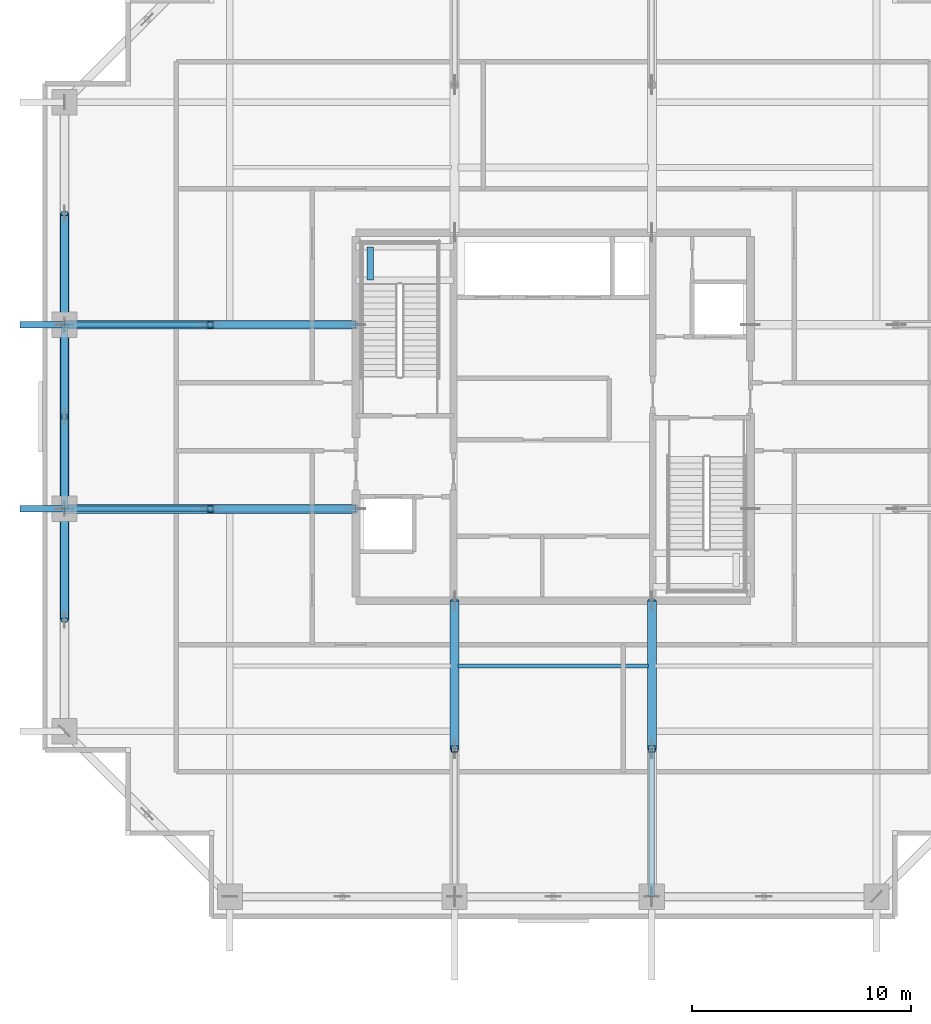
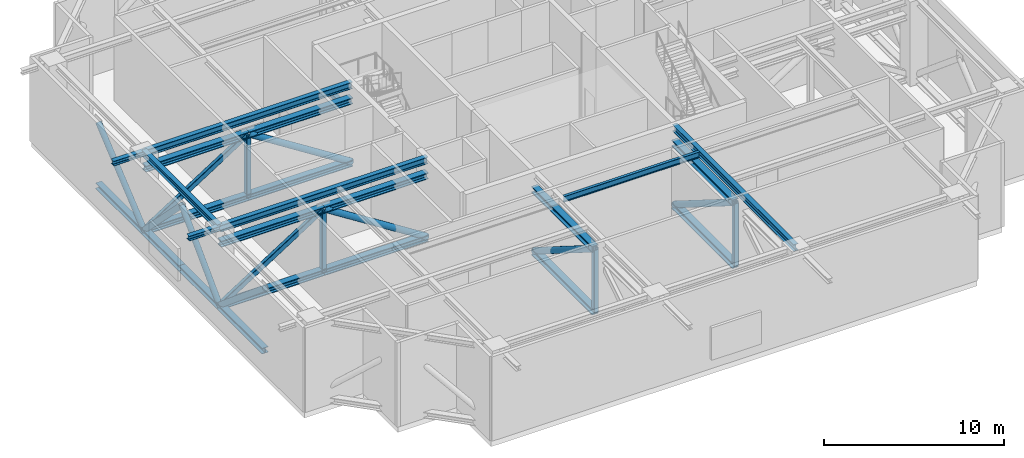
# One storey, part 2 of 22: 30 members, 8 beams.
"""IFC4 building model written with IfcOpenShell, lengths in metres."""

import ifcopenshell
import ifcopenshell.guid

model = None  # the IFC model being written
_history = None  # IfcOwnerHistory: only IFC2X3 demands one
_inside = {}  # id of a spatial element -> (the spatial element, [elements in it])
_under = {}  # id of a project, library or spatial element -> (it, [spatial elements below it])
_declared = {}  # id of a project -> (the project, [libraries it declares])
_typed = {}  # id of a type object -> (the type object, [elements of that type])
_made_of = {}  # id of a material, layer set ... -> (it, [elements and type objects made of it])


def new_model(schema):
    """Start an empty IFC model of exactly this schema.

    Asked for "IFC4X3", IfcOpenShell would pick the latest addendum, in which some entities
    have other attributes; the version numbers below select the first issue.
    IFC2X3 requires an IfcOwnerHistory on every rooted entity: one is made here for all.
    """
    global model, _history
    if schema == "IFC4X3":
        model = ifcopenshell.file(schema_version=(4, 3, 0, 0))
    else:
        model = ifcopenshell.file(schema=schema)
    _inside.clear()
    _under.clear()
    _declared.clear()
    _typed.clear()
    _made_of.clear()
    _history = None
    if model.schema == "IFC2X3":
        org = make("IfcOrganization", Name="unknown")
        user = make(
            "IfcPersonAndOrganization",
            ThePerson=make("IfcPerson", FamilyName="unknown"),
            TheOrganization=org,
        )
        app = make(
            "IfcApplication",
            ApplicationDeveloper=org,
            Version="unknown",
            ApplicationFullName="unknown",
            ApplicationIdentifier="unknown",
        )
        _history = make(
            "IfcOwnerHistory",
            OwningUser=user,
            OwningApplication=app,
            ChangeAction="ADDED",
            CreationDate=0,
        )
    return model


def make(cls, **values):
    """One entity of the class cls with the attributes given. An attribute that is None is left unset."""
    return model.create_entity(
        cls, **{name: value for name, value in values.items() if value is not None}
    )


def rooted(cls, **values):
    """An entity with a GlobalId (a new one), such as an element, a storey or a relation."""
    return make(cls, GlobalId=ifcopenshell.guid.new(), OwnerHistory=_history, **values)


def si_unit(unit_type, name, prefix=None):
    """IfcSIUnit, for example si_unit("LENGTHUNIT", "METRE", prefix="MILLI")."""
    return make("IfcSIUnit", UnitType=unit_type, Prefix=prefix, Name=name)


def assignment(units):
    """IfcUnitAssignment: the units of a project."""
    return None if units is None else make("IfcUnitAssignment", Units=units)


def point(xyz):
    """IfcCartesianPoint."""
    return None if xyz is None else make("IfcCartesianPoint", Coordinates=xyz)


def direction(xyz):
    """IfcDirection."""
    return None if xyz is None else make("IfcDirection", DirectionRatios=xyz)


def frame(location, z_axis=None, x_axis=None):
    """IfcAxis2Placement3D, a coordinate frame: its origin and axes. An axis left out is left unset."""
    return make(
        "IfcAxis2Placement3D",
        Location=point(location),
        Axis=direction(z_axis),
        RefDirection=direction(x_axis),
    )


def frame_2d(location, x_axis=None):
    """IfcAxis2Placement2D, a coordinate frame in the plane: its origin and x axis."""
    return make(
        "IfcAxis2Placement2D", Location=point(location), RefDirection=direction(x_axis)
    )


def origin():
    """The frame at (0, 0, 0) with its axes left unset."""
    return frame((0.0, 0.0, 0.0))


def origin_2d():
    """The frame at (0, 0) in the plane with its x axis left unset."""
    return frame_2d((0.0, 0.0))


def place(relative_to, where):
    """IfcLocalPlacement: puts the frame where relative to a parent placement (None: the world)."""
    return make(
        "IfcLocalPlacement", PlacementRelTo=relative_to, RelativePlacement=where
    )


def context(
    kind, dimensions, precision=None, world=None, true_north=None, identifier=None
):
    """IfcGeometricRepresentationContext, for example the 3D "Model" context."""
    return make(
        "IfcGeometricRepresentationContext",
        ContextIdentifier=identifier,
        ContextType=kind,
        CoordinateSpaceDimension=dimensions,
        Precision=precision,
        WorldCoordinateSystem=world,
        TrueNorth=true_north,
    )


def subcontext(parent, identifier, kind, view, scale=None):
    """IfcGeometricRepresentationSubContext, for example "Body" below "Model"."""
    return make(
        "IfcGeometricRepresentationSubContext",
        ContextIdentifier=identifier,
        ContextType=kind,
        ParentContext=parent,
        TargetScale=scale,
        TargetView=view,
    )


def project(units=None, contexts=None):
    """IfcProject with its units and contexts."""
    return rooted(
        "IfcProject",
        Name="project",
        RepresentationContexts=contexts,
        UnitsInContext=assignment(units),
    )


def spatial(cls, under=None, at=None, **own):
    """A site, building, storey or space (cls), placed at a placement, below another one or the project."""
    s = rooted(cls, ObjectPlacement=at, **own)
    if under is not None:
        _under.setdefault(under.id(), (under, []))[1].append(s)
    return s


def profile(cls, at=None, kind="AREA", **sizes):
    """A parametric profile (cls). Its sizes go by their IFC names, for example OverallWidth=200.0."""
    return make(cls, ProfileType=kind, Position=at, **sizes)


def rectangle(**sizes):
    """IfcRectangleProfileDef."""
    return profile("IfcRectangleProfileDef", **sizes)


def hollow_rectangle(**sizes):
    """IfcRectangleHollowProfileDef."""
    return profile("IfcRectangleHollowProfileDef", **sizes)


def hollow_circle(**sizes):
    """IfcCircleHollowProfileDef."""
    return profile("IfcCircleHollowProfileDef", **sizes)


def i_section(**sizes):
    """IfcIShapeProfileDef."""
    return profile("IfcIShapeProfileDef", **sizes)


def extrude(swept, where, along, depth):
    """IfcExtrudedAreaSolid: the profile swept, set in the frame where, extruded along a direction by depth."""
    return make(
        "IfcExtrudedAreaSolid",
        SweptArea=swept,
        Position=where,
        ExtrudedDirection=direction(along),
        Depth=depth,
    )


def shape(context_of_items, identifier, shape_type, items):
    """IfcShapeRepresentation: the items that make up one representation, for example the "Body"."""
    return make(
        "IfcShapeRepresentation",
        ContextOfItems=context_of_items,
        RepresentationIdentifier=identifier,
        RepresentationType=shape_type,
        Items=items,
    )


def source(mapping_origin, context_of_items, identifier, shape_type, items):
    """IfcRepresentationMap: a shape defined once, which mapped items show again and again."""
    return make(
        "IfcRepresentationMap",
        MappingOrigin=mapping_origin,
        MappedRepresentation=shape(context_of_items, identifier, shape_type, items),
    )


def transform(
    local_origin,
    x_axis=None,
    y_axis=None,
    z_axis=None,
    scale=None,
    scale2=None,
    scale3=None,
    uniform=True,
):
    """IfcCartesianTransformationOperator3D, or its non-uniform kind. x_axis, y_axis, z_axis: its Axis1, 2, 3."""
    if uniform:
        return make(
            "IfcCartesianTransformationOperator3D",
            Axis1=direction(x_axis),
            Axis2=direction(y_axis),
            LocalOrigin=point(local_origin),
            Scale=scale,
            Axis3=direction(z_axis),
        )
    return make(
        "IfcCartesianTransformationOperator3DnonUniform",
        Axis1=direction(x_axis),
        Axis2=direction(y_axis),
        LocalOrigin=point(local_origin),
        Scale=scale,
        Axis3=direction(z_axis),
        Scale2=scale2,
        Scale3=scale3,
    )


def mapped(mapping_source, mapping_target):
    """IfcMappedItem: shows the shape of a source again, moved by a transform."""
    return make(
        "IfcMappedItem", MappingSource=mapping_source, MappingTarget=mapping_target
    )


def material(Name=None, Category=None):
    """IfcMaterial."""
    return make("IfcMaterial", Name=Name, Category=Category)


def material_profile(
    of_material, cross_section, Name=None, Category=None, Priority=None
):
    """IfcMaterialProfile: a cross section and its material."""
    return make(
        "IfcMaterialProfile",
        Name=Name,
        Material=of_material,
        Profile=cross_section,
        Priority=Priority,
        Category=Category,
    )


def profile_set(profiles, Name=None, composite=None):
    """IfcMaterialProfileSet."""
    return make(
        "IfcMaterialProfileSet",
        Name=Name,
        MaterialProfiles=profiles,
        CompositeProfile=composite,
    )


def made_of(thing, what):
    """Note that an element or type object is made of a material, layer set ...; save() writes the relation."""
    if what is not None:
        _made_of.setdefault(what.id(), (what, []))[1].append(thing)
    return thing


def type_object(cls, material=None, **own):
    """A type object (cls), such as IfcWallType, which elements share."""
    return made_of(rooted(cls, **own), material)


def element(
    cls,
    number,
    at=None,
    inside=None,
    cuts=None,
    type_object=None,
    material=None,
    context=None,
    identifier="Body",
    shape_type=None,
    held_by="IfcProductDefinitionShape",
    body=None,
    shapes=None,
    **own,
):
    """One element of the class cls, such as IfcWall. Its Tag is "e" and its number.

    at: its placement. inside: the storey or other place that contains it. cuts: it is an
    opening in that element (IfcRelVoidsElement). A single representation is given by context,
    identifier, shape_type and body (its items); several are given by shapes. held_by: the class
    of the entity that holds the representations. save() writes the other relations.
    """
    e = rooted(cls, Tag="e%d" % number, ObjectPlacement=at, **own)
    if body is not None:
        shapes = [shape(context, identifier, shape_type, body)]
    if shapes is not None:
        e.Representation = make(held_by, Representations=shapes)
    if inside is not None:
        _inside.setdefault(inside.id(), (inside, []))[1].append(e)
    if cuts is not None:
        rooted(
            "IfcRelVoidsElement", RelatingBuildingElement=cuts, RelatedOpeningElement=e
        )
    if type_object is not None:
        _typed.setdefault(type_object.id(), (type_object, []))[1].append(e)
    return made_of(e, material)


def aggregate(whole, parts):
    """IfcRelAggregates: a whole, such as a stair, and the parts it consists of."""
    return rooted("IfcRelAggregates", RelatingObject=whole, RelatedObjects=parts)


def save(model, path):
    """Write the relations noted so far, then the file.

    IfcRelAggregates (storeys below a building ...), IfcRelContainedInSpatialStructure (elements
    in a storey), IfcRelDefinesByType, IfcRelAssociatesMaterial and IfcRelDeclares: one each for
    every whole, place, type object, material and project.
    """
    for whole, parts in _under.values():
        aggregate(whole, parts)
    for where, things in _inside.values():
        rooted(
            "IfcRelContainedInSpatialStructure",
            RelatedElements=things,
            RelatingStructure=where,
        )
    for kind, things in _typed.values():
        rooted("IfcRelDefinesByType", RelatedObjects=things, RelatingType=kind)
    for what, things in _made_of.values():
        rooted("IfcRelAssociatesMaterial", RelatedObjects=things, RelatingMaterial=what)
    for by, libraries in _declared.values():
        rooted("IfcRelDeclares", RelatingContext=by, RelatedDefinitions=libraries)
    model.write(path)


model = new_model("IFC4")

# Units and contexts
model_context = context("Model", 3, precision=1e-05, world=origin(), true_north=direction((0.0, 1.0)))
body_context = subcontext(model_context, "Body", "Model", "MODEL_VIEW")
ifc_project = project(units=[si_unit("LENGTHUNIT", "METRE"), si_unit("AREAUNIT", "SQUARE_METRE"), si_unit("VOLUMEUNIT", "CUBIC_METRE"), si_unit("PLANEANGLEUNIT", "RADIAN"), si_unit("MASSUNIT", "GRAM", prefix="KILO")], contexts=[model_context])

# Site, building, storey
site_placement = place(None, origin())
site = spatial("IfcSite", under=ifc_project, at=site_placement, CompositionType="ELEMENT")
building_placement = place(site_placement, origin())
building = spatial("IfcBuilding", under=site, at=building_placement, Name="Serunith Strait Residences", CompositionType="ELEMENT")
storey_placement = place(building_placement, frame((0.0, 0.0, 287.449951171875)))
storey = spatial("IfcBuildingStorey", under=building, at=storey_placement, Name="L72", CompositionType="ELEMENT", Elevation=287.449951171875)

# Beams
ifc_material_1 = material(Name="Steel S355J2", Category="steel")
ifc_material_profile_1 = material_profile(ifc_material_1, i_section(OverallWidth=0.179931640625, OverallDepth=0.39990234375, WebThickness=0.008544921875, FlangeThickness=0.013427734375, FilletRadius=0.02099609375, at=origin_2d()), Name="IPE 400")
ifc_profile_set_1 = profile_set([ifc_material_profile_1], Name="Steel S355J2")
beam_type_1 = type_object("IfcBeamType", Name="BM-IPE400", PredefinedType="JOIST", material=ifc_profile_set_1)
shared_shape_1 = source(origin(), body_context, "Body", "SweptSolid", [
    extrude(i_section(OverallWidth=0.179931640625, OverallDepth=0.39990234375, WebThickness=0.008544921875, FlangeThickness=0.013427734375, FilletRadius=0.02099609375, at=origin_2d()), origin(), (0.0, 0.0, 1.0), 8.699951171875),
])
beam_1_placement = place(storey_placement, frame((28.050048828125, 13.824951171875, 5.537109375), z_axis=(1.0, 0.0, 0.0), x_axis=(0.0, 1.0, 0.0)))
element("IfcBeam", 1, at=beam_1_placement, inside=storey, type_object=beam_type_1, Name="L72 Composite Floor Joist 02", PredefinedType="JOIST", context=body_context, shape_type="MappedRepresentation", body=[
    mapped(shared_shape_1, transform((0.0, 0.0, 0.0), scale=1.0)),
])
ifc_material_profile_2 = material_profile(ifc_material_1, i_section(OverallWidth=0.300048828125, OverallDepth=0.39990234375, WebThickness=0.013427734375, FlangeThickness=0.02392578125, FilletRadius=0.027099609375, at=origin_2d()), Name="HEB 400")
ifc_profile_set_2 = profile_set([ifc_material_profile_2], Name="Steel S355J2")
beam_type_2 = type_object("IfcBeamType", Name="BM-HEB400", PredefinedType="BEAM", material=ifc_profile_set_2)
shared_shape_2 = source(origin(), body_context, "Body", "SweptSolid", [
    extrude(i_section(OverallWidth=0.300048828125, OverallDepth=0.39990234375, WebThickness=0.013427734375, FlangeThickness=0.02392578125, FilletRadius=0.027099609375, at=origin_2d()), origin(), (0.0, 0.0, 1.0), 8.39990234375),
])
beam_2_placement = place(storey_placement, frame((10.10009765625, 29.39990234375, 5.537109375), z_axis=(0.0, -1.0, 0.0), x_axis=(1.0, 0.0, 0.0)))
element("IfcBeam", 2, at=beam_2_placement, inside=storey, type_object=beam_type_2, Name="L72 Perimeter Ring Beam 14", PredefinedType="BEAM", context=body_context, shape_type="MappedRepresentation", body=[
    mapped(shared_shape_2, transform((0.0, 0.0, 0.0), scale=1.0)),
])
ifc_material_profile_3 = material_profile(ifc_material_1, i_section(OverallWidth=0.300048828125, OverallDepth=0.320068359375, WebThickness=0.011474609375, FlangeThickness=0.0205078125, FilletRadius=0.027099609375, at=origin_2d()), Name="HEB 320")
ifc_profile_set_3 = profile_set([ifc_material_profile_3], Name="Steel S355J2")
beam_type_3 = type_object("IfcBeamType", Name="BM-HEB320", PredefinedType="BEAM", material=ifc_profile_set_3)
shared_shape_3 = source(origin(), body_context, "Body", "SweptSolid", [
    extrude(i_section(OverallWidth=0.300048828125, OverallDepth=0.320068359375, WebThickness=0.011474609375, FlangeThickness=0.0205078125, FilletRadius=0.027099609375, at=origin_2d()), origin(), (0.0, 0.0, 1.0), 2.030029296875),
])
for number, where, z_axis, x_axis, name in (
    (3, (10.10009765625, 21.0, 5.547119140625), (-1.0, 0.0, 0.0), (0.0, -1.0, 0.0), "L73 Cantilevered Balcony Rib TC-W2"),
    (4, (10.10009765625, 29.39990234375, 5.547119140625), (-1.0, 0.0, 0.0), (0.0, -1.0, 0.0), "L73 Cantilevered Balcony Rib TC-W3"),
):
    element("IfcBeam", number, at=place(storey_placement, frame(where, z_axis=z_axis, x_axis=x_axis)), inside=storey, type_object=beam_type_3, Name=name, PredefinedType="BEAM", context=body_context, shape_type="MappedRepresentation", body=[
        mapped(shared_shape_3, transform((0.0, 0.0, 0.0), scale=1.0)),
    ])
ifc_material_profile_4 = material_profile(ifc_material_1, i_section(OverallWidth=0.300048828125, OverallDepth=0.449951171875, WebThickness=0.013916015625, FlangeThickness=0.02587890625, FilletRadius=0.027099609375, at=origin_2d()), Name="HEB 450")
ifc_profile_set_4 = profile_set([ifc_material_profile_4], Name="Steel S355J2")
beam_type_4 = type_object("IfcBeamType", Name="BM-HEB450", PredefinedType="BEAM", material=ifc_profile_set_4)
shared_shape_4 = source(origin(), body_context, "Body", "SweptSolid", [
    extrude(i_section(OverallWidth=0.300048828125, OverallDepth=0.449951171875, WebThickness=0.013916015625, FlangeThickness=0.02587890625, FilletRadius=0.027099609375, at=origin_2d()), origin(), (0.0, 0.0, 1.0), 13.5),
])
beam_3_placement = place(storey_placement, frame((36.89990234375, 16.800048828125, 5.511962890625), z_axis=(0.0, -1.0, 0.0), x_axis=(1.0, 0.0, 0.0)))
element("IfcBeam", 5, at=beam_3_placement, inside=storey, type_object=beam_type_4, Name="L72 Primary Floor Girder TC-S3", PredefinedType="BEAM", context=body_context, shape_type="MappedRepresentation", body=[
    mapped(shared_shape_4, transform((0.0, 0.0, 0.0), scale=1.0)),
])
shared_shape_5 = source(origin(), body_context, "Body", "SweptSolid", [
    extrude(i_section(OverallWidth=0.300048828125, OverallDepth=0.449951171875, WebThickness=0.013916015625, FlangeThickness=0.02587890625, FilletRadius=0.027099609375, at=origin_2d()), origin(), (0.0, 0.0, 1.0), 13.2998046875),
])
for number, where, z_axis, x_axis, name in (
    (6, (23.39990234375, 21.0, 5.511962890625), (-1.0, 0.0, 0.0), (0.0, -1.0, 0.0), "L72 Primary Floor Girder TC-W2"),
    (7, (23.39990234375, 29.39990234375, 5.511962890625), (-1.0, 0.0, 0.0), (0.0, -1.0, 0.0), "L72 Primary Floor Girder TC-W3"),
):
    element("IfcBeam", number, at=place(storey_placement, frame(where, z_axis=z_axis, x_axis=x_axis)), inside=storey, type_object=beam_type_4, Name=name, PredefinedType="BEAM", context=body_context, shape_type="MappedRepresentation", body=[
        mapped(shared_shape_5, transform((0.0, 0.0, 0.0), scale=1.0)),
    ])

# Members
ifc_material_2 = material(Name="Steel S460M", Category="steel")
ifc_material_profile_5 = material_profile(ifc_material_2, i_section(OverallWidth=0.406005859375, OverallDepth=0.416015625, WebThickness=0.02978515625, FlangeThickness=0.048095703125, FilletRadius=0.014892578125, at=origin_2d()), Name="HD 400x382")
ifc_profile_set_5 = profile_set([ifc_material_profile_5], Name="Steel S460M")
member_type_1 = type_object("IfcMemberType", Name="MBR-CHORD-HD382", PredefinedType="CHORD", material=ifc_profile_set_5)
shared_shape_6 = source(origin(), body_context, "Body", "SweptSolid", [
    extrude(i_section(OverallWidth=0.406005859375, OverallDepth=0.416015625, WebThickness=0.02978515625, FlangeThickness=0.048095703125, FilletRadius=0.014892578125, at=origin_2d()), origin(), (0.0, 0.0, 1.0), 6.75),
])
for number, where, z_axis, x_axis, name in (
    (8, (27.89990234375, 16.800048828125, 0.25), (0.0, -1.0, 0.0), (1.0, 0.0, 0.0), "L72 Outrigger Arm 1 Bottom Chord 1"),
    (9, (27.89990234375, 16.800048828125, 4.489990234375), (0.0, -1.0, 0.0), (1.0, 0.0, 0.0), "L72 Outrigger Arm 1 Top Chord 1"),
    (10, (36.89990234375, 16.800048828125, 0.25), (0.0, -1.0, 0.0), (1.0, 0.0, 0.0), "L72 Outrigger Arm 2 Bottom Chord 1"),
    (11, (36.89990234375, 16.800048828125, 4.489990234375), (0.0, -1.0, 0.0), (1.0, 0.0, 0.0), "L72 Outrigger Arm 2 Top Chord 1"),
):
    element("IfcMember", number, at=place(storey_placement, frame(where, z_axis=z_axis, x_axis=x_axis)), inside=storey, type_object=member_type_1, Name=name, PredefinedType="CHORD", context=body_context, shape_type="MappedRepresentation", body=[
        mapped(shared_shape_6, transform((0.0, 0.0, 0.0), scale=1.0)),
    ])
ifc_material_profile_6 = material_profile(ifc_material_2, hollow_rectangle(XDim=0.300048828125, YDim=0.300048828125, WallThickness=0.012451171875, InnerFilletRadius=0.018798828125, OuterFilletRadius=0.03125, at=origin_2d()), Name="SHS 300x300x12.5")
ifc_profile_set_6 = profile_set([ifc_material_profile_6], Name="Steel S460M")
member_type_2 = type_object("IfcMemberType", Name="MBR-STRUT-SHS300", PredefinedType="STRUT", material=ifc_profile_set_6)
shared_shape_7 = source(origin(), body_context, "Body", "SweptSolid", [
    extrude(hollow_rectangle(XDim=0.300048828125, YDim=0.300048828125, WallThickness=0.012451171875, InnerFilletRadius=0.018798828125, OuterFilletRadius=0.03125, at=origin_2d()), origin(), (0.0, 0.0, 1.0), 4.239990234375),
])
for number, where, z_axis, x_axis, name in (
    (12, (27.89990234375, 10.050048828125, 0.25), (0.0, 0.0, 1.0), (1.0, 0.0, 0.0), "L72 Outrigger Arm 1 Mid Post"),
    (13, (36.89990234375, 10.050048828125, 0.25), (0.0, 0.0, 1.0), (1.0, 0.0, 0.0), "L72 Outrigger Arm 2 Mid Post"),
    (14, (16.75, 21.0, 0.25), (0.0, 0.0, 1.0), (1.0, 0.0, 0.0), "L72 Outrigger Arm 7 Mid Post"),
    (15, (16.75, 29.39990234375, 0.25), (0.0, 0.0, 1.0), (1.0, 0.0, 0.0), "L72 Outrigger Arm 8 Mid Post"),
):
    element("IfcMember", number, at=place(storey_placement, frame(where, z_axis=z_axis, x_axis=x_axis)), inside=storey, type_object=member_type_2, Name=name, PredefinedType="STRUT", context=body_context, shape_type="MappedRepresentation", body=[
        mapped(shared_shape_7, transform((0.0, 0.0, 0.0), scale=1.0)),
    ])
ifc_material_profile_7 = material_profile(ifc_material_2, hollow_circle(Radius=0.203125, WallThickness=0.01611328125, at=origin_2d()), Name="CHS 406.4x16")
ifc_profile_set_7 = profile_set([ifc_material_profile_7], Name="Steel S460M")
member_type_3 = type_object("IfcMemberType", Name="MBR-DIAG-CHS406", PredefinedType="BRACE", material=ifc_profile_set_7)
shared_shape_8 = source(origin(), body_context, "Body", "SweptSolid", [
    extrude(hollow_circle(Radius=0.203125, WallThickness=0.01611328125, at=origin_2d()), origin(), (0.0, 0.0, 1.0), 7.97119140625),
])
for number, where, z_axis, x_axis, name in (
    (16, (27.89990234375, 16.800048828125, 0.25), (0.0, -0.846798556152, 0.531913719788), (1.0, 0.0, 0.0), "L72 Outrigger Arm 1 Inner Diagonal"),
    (17, (36.89990234375, 16.800048828125, 0.25), (0.0, -0.846798556152, 0.531913719788), (1.0, 0.0, 0.0), "L72 Outrigger Arm 2 Inner Diagonal"),
):
    element("IfcMember", number, at=place(storey_placement, frame(where, z_axis=z_axis, x_axis=x_axis)), inside=storey, type_object=member_type_3, Name=name, PredefinedType="BRACE", context=body_context, shape_type="MappedRepresentation", body=[
        mapped(shared_shape_8, transform((0.0, 0.0, 0.0), scale=1.0)),
    ])
shared_shape_9 = source(origin(), body_context, "Body", "SweptSolid", [
    extrude(i_section(OverallWidth=0.406005859375, OverallDepth=0.416015625, WebThickness=0.02978515625, FlangeThickness=0.048095703125, FilletRadius=0.014892578125, at=origin_2d()), origin(), (0.0, 0.0, 1.0), 6.64990234375),
])
for number, where, z_axis, x_axis, name in (
    (18, (23.39990234375, 21.0, 0.25), (-1.0, 0.0, 0.0), (0.0, -1.0, 0.0), "L72 Outrigger Arm 7 Bottom Chord 1"),
    (19, (23.39990234375, 21.0, 4.489990234375), (-1.0, 0.0, 0.0), (0.0, -1.0, 0.0), "L72 Outrigger Arm 7 Top Chord 1"),
    (20, (16.75, 21.0, 0.25), (-1.0, 0.0, 0.0), (0.0, -1.0, 0.0), "L72 Outrigger Arm 7 Bottom Chord 2"),
    (21, (16.75, 21.0, 4.489990234375), (-1.0, 0.0, 0.0), (0.0, -1.0, 0.0), "L72 Outrigger Arm 7 Top Chord 2"),
    (22, (23.39990234375, 29.39990234375, 0.25), (-1.0, 0.0, 0.0), (0.0, -1.0, 0.0), "L72 Outrigger Arm 8 Bottom Chord 1"),
    (23, (23.39990234375, 29.39990234375, 4.489990234375), (-1.0, 0.0, 0.0), (0.0, -1.0, 0.0), "L72 Outrigger Arm 8 Top Chord 1"),
    (24, (16.75, 29.39990234375, 0.25), (-1.0, 0.0, 0.0), (0.0, -1.0, 0.0), "L72 Outrigger Arm 8 Bottom Chord 2"),
    (25, (16.75, 29.39990234375, 4.489990234375), (-1.0, 0.0, 0.0), (0.0, -1.0, 0.0), "L72 Outrigger Arm 8 Top Chord 2"),
):
    element("IfcMember", number, at=place(storey_placement, frame(where, z_axis=z_axis, x_axis=x_axis)), inside=storey, type_object=member_type_1, Name=name, PredefinedType="CHORD", context=body_context, shape_type="MappedRepresentation", body=[
        mapped(shared_shape_9, transform((0.0, 0.0, 0.0), scale=1.0)),
    ])
shared_shape_10 = source(origin(), body_context, "Body", "SweptSolid", [
    extrude(hollow_circle(Radius=0.203125, WallThickness=0.01611328125, at=origin_2d()), origin(), (0.0, 0.0, 1.0), 7.88671875),
])
for number, where, z_axis, x_axis, name in (
    (26, (23.39990234375, 21.0, 0.25), (-0.84318825712, 0.0, 0.537618417704), (0.0, -1.0, 0.0), "L72 Outrigger Arm 7 Inner Diagonal"),
    (27, (23.39990234375, 29.39990234375, 0.25), (-0.84318825712, 0.0, 0.537618417704), (0.0, -1.0, 0.0), "L72 Outrigger Arm 8 Inner Diagonal"),
):
    element("IfcMember", number, at=place(storey_placement, frame(where, z_axis=z_axis, x_axis=x_axis)), inside=storey, type_object=member_type_3, Name=name, PredefinedType="BRACE", context=body_context, shape_type="MappedRepresentation", body=[
        mapped(shared_shape_10, transform((0.0, 0.0, 0.0), scale=1.0)),
    ])
ifc_material_profile_8 = material_profile(ifc_material_2, hollow_rectangle(XDim=0.25, YDim=0.35009765625, WallThickness=0.01611328125, InnerFilletRadius=0.02392578125, OuterFilletRadius=0.0400390625, at=origin_2d()), Name="RHS 350x250x16")
ifc_profile_set_8 = profile_set([ifc_material_profile_8], Name="Steel S460M")
member_type_4 = type_object("IfcMemberType", Name="MBR-BRACE-RHS350", PredefinedType="BRACE", material=ifc_profile_set_8)
shared_shape_11 = source(origin(), body_context, "Body", "SweptSolid", [
    extrude(hollow_rectangle(XDim=0.25, YDim=0.35009765625, WallThickness=0.01611328125, InnerFilletRadius=0.02392578125, OuterFilletRadius=0.0400390625, at=origin_2d()), origin(), (0.0, 0.0, 1.0), 7.88671875),
])
for number, where, z_axis, x_axis, name in (
    (28, (16.75, 21.0, 4.489990234375), (-0.84318825712, 0.0, -0.537618417704), (0.0, -1.0, 0.0), "L72 Outrigger Arm 7 Outer Diagonal"),
    (29, (16.75, 29.39990234375, 4.489990234375), (-0.84318825712, 0.0, -0.537618417704), (0.0, -1.0, 0.0), "L72 Outrigger Arm 8 Outer Diagonal"),
):
    element("IfcMember", number, at=place(storey_placement, frame(where, z_axis=z_axis, x_axis=x_axis)), inside=storey, type_object=member_type_4, Name=name, PredefinedType="BRACE", context=body_context, shape_type="MappedRepresentation", body=[
        mapped(shared_shape_11, transform((0.0, 0.0, 0.0), scale=1.0)),
    ])
ifc_material_profile_9 = material_profile(ifc_material_2, i_section(OverallWidth=0.39794921875, OverallDepth=0.386962890625, WebThickness=0.02099609375, FlangeThickness=0.033203125, FilletRadius=0.014892578125, at=origin_2d()), Name="HD 400x262")
ifc_profile_set_9 = profile_set([ifc_material_profile_9], Name="Steel S460M")
member_type_5 = type_object("IfcMemberType", Name="MBR-CHORD-HD262", PredefinedType="CHORD", material=ifc_profile_set_9)
shared_shape_12 = source(origin(), body_context, "Body", "SweptSolid", [
    extrude(i_section(OverallWidth=0.39794921875, OverallDepth=0.386962890625, WebThickness=0.02099609375, FlangeThickness=0.033203125, FilletRadius=0.014892578125, at=origin_2d()), origin(), (0.0, 0.0, 1.0), 5.074951171875),
])
member_1_placement = place(storey_placement, frame((10.10009765625, 21.0, 0.25), z_axis=(0.0, -1.0, 0.0), x_axis=(1.0, 0.0, 0.0)))
element("IfcMember", 30, at=member_1_placement, inside=storey, type_object=member_type_5, Name="L72 Belt Truss Bay 15 Chord A", PredefinedType="CHORD", context=body_context, shape_type="MappedRepresentation", body=[
    mapped(shared_shape_12, transform((0.0, 0.0, 0.0), scale=1.0)),
])
ifc_material_profile_10 = material_profile(ifc_material_1, hollow_circle(Radius=0.177734375, WallThickness=0.012451171875, at=origin_2d()), Name="CHS 355.6x12.5")
ifc_profile_set_10 = profile_set([ifc_material_profile_10], Name="Steel S355J2")
member_type_6 = type_object("IfcMemberType", Name="MBR-DIAG-CHS355", PredefinedType="BRACE", material=ifc_profile_set_10)
shared_shape_13 = source(origin(), body_context, "Body", "SweptSolid", [
    extrude(hollow_circle(Radius=0.177734375, WallThickness=0.012451171875, at=origin_2d()), origin(), (0.0, 0.0, 1.0), 6.613037109375),
])
member_2_placement = place(storey_placement, frame((10.10009765625, 21.0, 0.25), z_axis=(0.0, -0.767412710118, 0.641153439006), x_axis=(1.0, 0.0, 0.0)))
element("IfcMember", 31, at=member_2_placement, inside=storey, type_object=member_type_6, Name="L72 Belt Truss Bay 15 Diagonal 1", PredefinedType="BRACE", context=body_context, shape_type="MappedRepresentation", body=[
    mapped(shared_shape_13, transform((0.0, 0.0, 0.0), scale=1.0)),
])
shared_shape_14 = source(origin(), body_context, "Body", "SweptSolid", [
    extrude(i_section(OverallWidth=0.39794921875, OverallDepth=0.386962890625, WebThickness=0.02099609375, FlangeThickness=0.033203125, FilletRadius=0.014892578125, at=origin_2d()), origin(), (0.0, 0.0, 1.0), 4.199951171875),
])
for number, where, z_axis, x_axis, name in (
    (32, (10.10009765625, 29.39990234375, 0.25), (0.0, -1.0, 0.0), (1.0, 0.0, 0.0), "L72 Belt Truss Bay 14 Chord A"),
    (33, (10.10009765625, 25.199951171875, 0.25), (0.0, -1.0, 0.0), (1.0, 0.0, 0.0), "L72 Belt Truss Bay 14 Chord B"),
):
    element("IfcMember", number, at=place(storey_placement, frame(where, z_axis=z_axis, x_axis=x_axis)), inside=storey, type_object=member_type_5, Name=name, PredefinedType="CHORD", context=body_context, shape_type="MappedRepresentation", body=[
        mapped(shared_shape_14, transform((0.0, 0.0, 0.0), scale=1.0)),
    ])
shared_shape_15 = source(origin(), body_context, "Body", "SweptSolid", [
    extrude(hollow_circle(Radius=0.177734375, WallThickness=0.012451171875, at=origin_2d()), origin(), (0.0, 0.0, 1.0), 5.968017578125),
])
for number, where, z_axis, x_axis, name in (
    (34, (10.10009765625, 29.39990234375, 0.25), (0.0, -0.703744349233, 0.710453299607), (1.0, 0.0, 0.0), "L72 Belt Truss Bay 14 Diagonal 1"),
    (35, (10.10009765625, 21.0, 0.25), (0.0, 0.703744349233, 0.710453299607), (-1.0, 0.0, 0.0), "L72 Belt Truss Bay 14 Diagonal 2"),
):
    element("IfcMember", number, at=place(storey_placement, frame(where, z_axis=z_axis, x_axis=x_axis)), inside=storey, type_object=member_type_6, Name=name, PredefinedType="BRACE", context=body_context, shape_type="MappedRepresentation", body=[
        mapped(shared_shape_15, transform((0.0, 0.0, 0.0), scale=1.0)),
    ])
shared_shape_16 = source(origin(), body_context, "Body", "SweptSolid", [
    extrude(i_section(OverallWidth=0.39794921875, OverallDepth=0.386962890625, WebThickness=0.02099609375, FlangeThickness=0.033203125, FilletRadius=0.014892578125, at=origin_2d()), origin(), (0.0, 0.0, 1.0), 5.0751953125),
])
member_3_placement = place(storey_placement, frame((10.10009765625, 34.47509765625, 0.25), z_axis=(0.0, -1.0, 0.0), x_axis=(1.0, 0.0, 0.0)))
element("IfcMember", 36, at=member_3_placement, inside=storey, type_object=member_type_5, Name="L72 Belt Truss Bay 13 Chord B", PredefinedType="CHORD", context=body_context, shape_type="MappedRepresentation", body=[
    mapped(shared_shape_16, transform((0.0, 0.0, 0.0), scale=1.0)),
])
shared_shape_17 = source(origin(), body_context, "Body", "SweptSolid", [
    extrude(hollow_circle(Radius=0.177734375, WallThickness=0.012451171875, at=origin_2d()), origin(), (0.0, 0.0, 1.0), 6.61328125),
])
member_4_placement = place(storey_placement, frame((10.10009765625, 29.39990234375, 0.25), z_axis=(0.0, 0.767427885606, 0.641135274645), x_axis=(-1.0, 0.0, 0.0)))
element("IfcMember", 37, at=member_4_placement, inside=storey, type_object=member_type_6, Name="L72 Belt Truss Bay 13 Diagonal 2", PredefinedType="BRACE", context=body_context, shape_type="MappedRepresentation", body=[
    mapped(shared_shape_17, transform((0.0, 0.0, 0.0), scale=1.0)),
])

# Beam
ifc_material_3 = material(Name="Concrete C60/75", Category="concrete")
ifc_material_profile_11 = material_profile(ifc_material_3, rectangle(XDim=0.300048828125, YDim=0.300048828125, at=origin_2d()), Name="RC 300x300")
ifc_profile_set_11 = profile_set([ifc_material_profile_11], Name="Concrete C60/75")
beam_type_5 = type_object("IfcBeamType", Name="BM-LAND-300x300", PredefinedType="BEAM", material=ifc_profile_set_11)
shared_shape_18 = source(origin(), body_context, "Body", "SweptSolid", [
    extrude(rectangle(XDim=0.300048828125, YDim=0.300048828125, at=origin_2d()), origin(), (0.0, 0.0, 1.0), 1.52001953125),
])
beam_4_placement = place(storey_placement, frame((24.050048828125, 31.429931640625, 2.650146484375), z_axis=(0.0, 1.0, 0.0), x_axis=(-1.0, 0.0, 0.0)))
element("IfcBeam", 38, at=beam_4_placement, inside=storey, type_object=beam_type_5, Name="L72 ST-1 Landing Transverse Tie Beam", PredefinedType="BEAM", context=body_context, shape_type="MappedRepresentation", body=[
    mapped(shared_shape_18, transform((0.0, 0.0, 0.0), scale=1.0)),
])

save(model, "model.ifc")
